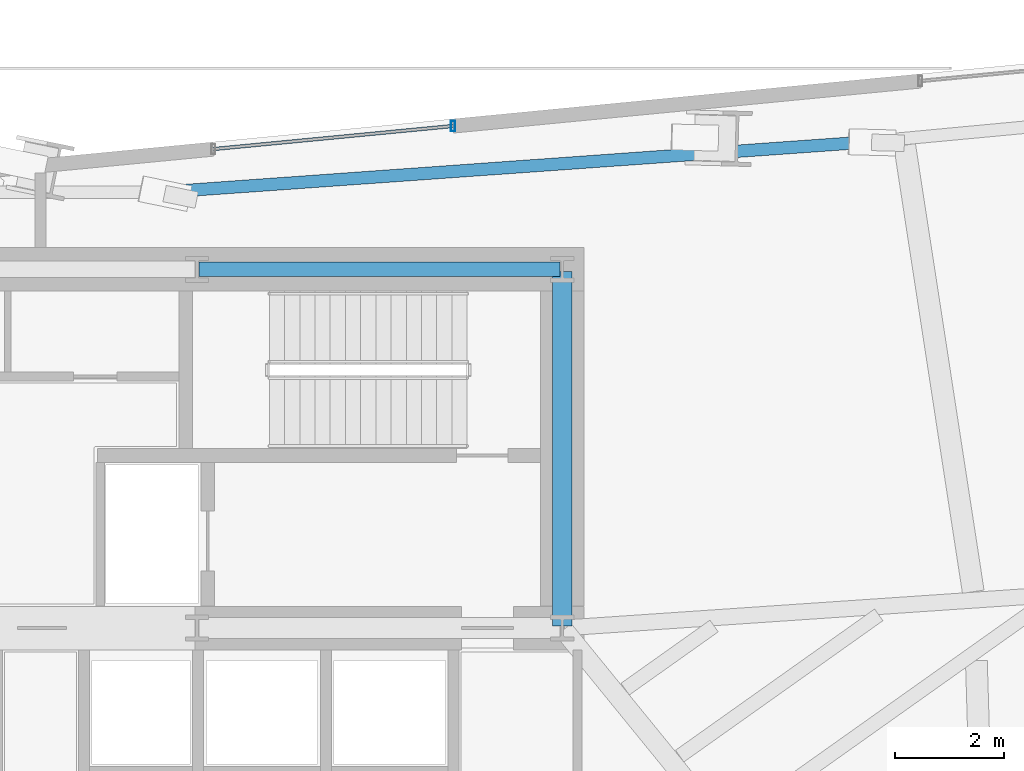
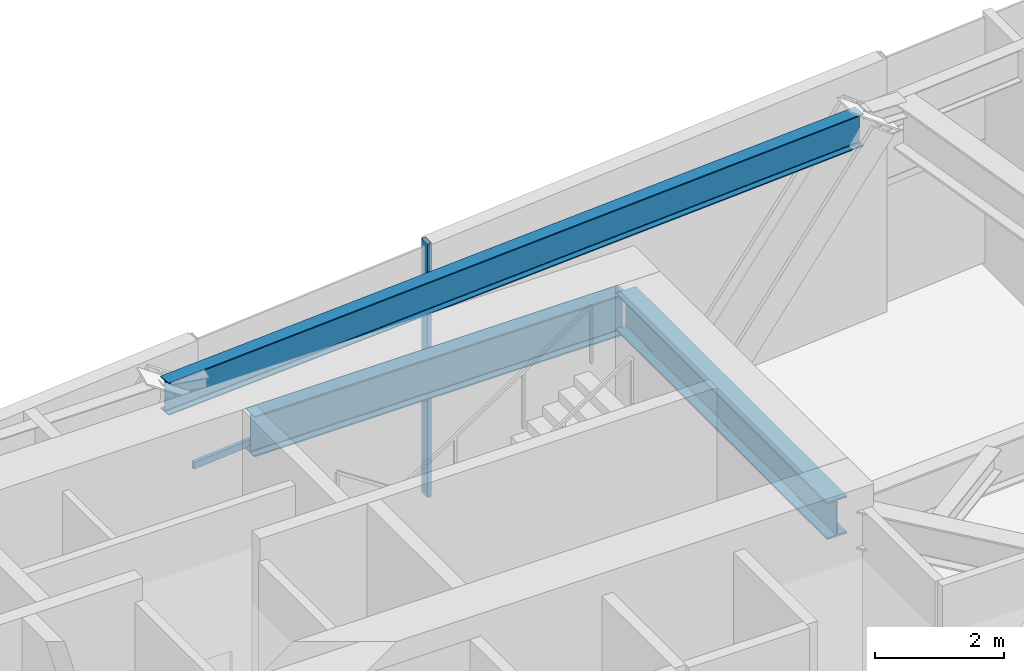
# One storey, part 15 of 28: 3 beams, 2 members, 1 element without a shape of its own.
"""IFC4 building model written with IfcOpenShell, lengths in metres."""

from ifc_helpers import new_model, si_unit, direction, frame, origin, origin_2d, place, context, subcontext, project, spatial, hollow_rectangle, i_section, extrude, source, transform, mapped, material, material_profile, profile_set, type_object, type_shapes, element, aggregate, save


model = new_model("IFC4")

# Units and contexts
model_context = context("Model", 3, precision=1e-05, world=origin(), true_north=direction((0.0, 1.0)))
body_context = subcontext(model_context, "Body", "Model", "MODEL_VIEW")
ifc_project = project(units=[si_unit("LENGTHUNIT", "METRE"), si_unit("AREAUNIT", "SQUARE_METRE"), si_unit("VOLUMEUNIT", "CUBIC_METRE"), si_unit("PLANEANGLEUNIT", "RADIAN"), si_unit("MASSUNIT", "GRAM", prefix="KILO")], contexts=[model_context])

# Site, building, storey
site_placement = place(None, origin())
site = spatial("IfcSite", under=ifc_project, at=site_placement, CompositionType="ELEMENT")
building_placement = place(site_placement, origin())
building = spatial("IfcBuilding", under=site, at=building_placement, Name="Astriad Promenade Condominiums", CompositionType="ELEMENT")
storey_placement = place(building_placement, frame((0.0, 0.0, 72.60009765625)))
storey = spatial("IfcBuildingStorey", under=building, at=storey_placement, Name="L20", CompositionType="ELEMENT", Elevation=72.60009765625)

# Beams
ifc_material_1 = material(Name="Steel ASTM A992 Grade 50", Category="steel")
ifc_material_profile_1 = material_profile(ifc_material_1, i_section(OverallWidth=0.267822265625, OverallDepth=0.76953125, WebThickness=0.015625, FlangeThickness=0.025390625, FilletRadius=0.021484375, at=origin_2d()), Name="W30X132")
ifc_profile_set_1 = profile_set([ifc_material_profile_1], Name="Steel ASTM A992 Grade 50")
beam_type_1 = type_object("IfcBeamType", Name="STEEL FLOOR GIRDER W30X132", PredefinedType="BEAM", material=ifc_profile_set_1)
shared_shape_1 = source(origin(), body_context, "Body", "SweptSolid", [
    extrude(i_section(OverallWidth=0.267822265625, OverallDepth=0.76953125, WebThickness=0.015625, FlangeThickness=0.025390625, FilletRadius=0.021484375, at=origin_2d()), origin(), (0.0, 0.0, 1.0), 6.64013671875),
])
type_shapes(beam_type_1, [shared_shape_1])
beam_1_placement = place(storey_placement, frame((38.919921875, 24.0, 4.39501953125), z_axis=(1.0, 0.0, 0.0), x_axis=(0.0, 1.0, 0.0)))
element("IfcBeam", 1, at=beam_1_placement, inside=storey, type_object=beam_type_1, Name="Core Ring Beam CG-N3-L20", PredefinedType="BEAM", context=body_context, shape_type="MappedRepresentation", body=[
    mapped(shared_shape_1, transform((0.0, 0.0, 0.0), scale=1.0)),
])
ifc_material_profile_2 = material_profile(ifc_material_1, i_section(OverallWidth=0.35791015625, OverallDepth=0.706298828125, WebThickness=0.018310546875, FlangeThickness=0.0302734375, FilletRadius=0.020263671875, at=origin_2d()), Name="W27X178")
ifc_profile_set_2 = profile_set([ifc_material_profile_2], Name="Steel ASTM A992 Grade 50")
beam_type_2 = type_object("IfcBeamType", Name="STEEL FLOOR GIRDER W27X178", PredefinedType="BEAM", material=ifc_profile_set_2)
shared_shape_2 = source(origin(), body_context, "Body", "SweptSolid", [
    extrude(i_section(OverallWidth=0.35791015625, OverallDepth=0.706298828125, WebThickness=0.018310546875, FlangeThickness=0.0302734375, FilletRadius=0.020263671875, at=origin_2d()), origin(), (0.0, 0.0, 1.0), 6.52001953125),
])
type_shapes(beam_type_2, [shared_shape_2])
beam_2_placement = place(storey_placement, frame((45.60009765625, 17.43994140625, 4.4267578125), z_axis=(0.0, 1.0, 0.0), x_axis=(-1.0, 0.0, 0.0)))
element("IfcBeam", 2, at=beam_2_placement, inside=storey, type_object=beam_type_2, Name="Core Ring Beam CG-E1-L20", PredefinedType="BEAM", context=body_context, shape_type="MappedRepresentation", body=[
    mapped(shared_shape_2, transform((0.0, 0.0, 0.0), scale=1.0)),
])
ifc_material_profile_3 = material_profile(ifc_material_1, i_section(OverallWidth=0.22900390625, OverallDepth=0.612060546875, WebThickness=0.011962890625, FlangeThickness=0.01953125, FilletRadius=0.017822265625, at=origin_2d()), Name="W24X84")
ifc_profile_set_3 = profile_set([ifc_material_profile_3], Name="Steel ASTM A992 Grade 50")
beam_type_3 = type_object("IfcBeamType", Name="STEEL SPANDREL BEAM W24X84", PredefinedType="SPANDREL", material=ifc_profile_set_3)
shared_shape_3 = source(origin(), body_context, "Body", "SweptSolid", [
    extrude(i_section(OverallWidth=0.22900390625, OverallDepth=0.612060546875, WebThickness=0.011962890625, FlangeThickness=0.01953125, FilletRadius=0.017822265625, at=origin_2d()), origin(), (0.0, 0.0, 1.0), 12.94970703125),
])
type_shapes(beam_type_3, [shared_shape_3])
beam_3_placement = place(storey_placement, frame((51.1337890625, 26.338134765625, 4.473876953125), z_axis=(-0.997478947986, -0.070963006733, 0.0), x_axis=(0.070963006733, -0.997478947986, 0.0)))
element("IfcBeam", 3, at=beam_3_placement, inside=storey, type_object=beam_type_3, Name="Perimeter Spandrel Beam SP-N3-L20", PredefinedType="SPANDREL", context=body_context, shape_type="MappedRepresentation", body=[
    mapped(shared_shape_3, transform((0.0, 0.0, 0.0), scale=1.0)),
])

# Curtain wall, members
ifc_material_2 = material(Name="Anodised aluminium Black Dark Glass Unitised", Category="aluminium")
curtain_wall_type = type_object("IfcCurtainWallType", Name="CW-B2-DARK", PredefinedType="USERDEFINED", material=ifc_material_2)
curtain_wall_placement = place(storey_placement, origin())
curtain_wall = element("IfcCurtainWall", 4, at=curtain_wall_placement, inside=storey, type_object=curtain_wall_type, Name="CW-L20-N-3", ObjectType="UNITISED_CURTAIN_WALL", PredefinedType="USERDEFINED")
ifc_material_3 = material(Name="Anodised aluminium 6063-T6 Black", Category="aluminium")
ifc_material_profile_4 = material_profile(ifc_material_3, hollow_rectangle(XDim=0.074951171875, YDim=0.18505859375, WallThickness=0.00439453125, at=origin_2d()), Name="ALU-MUL-75X185")
ifc_profile_set_4 = profile_set([ifc_material_profile_4], Name="Anodised aluminium 6063-T6 Black")
member_type_1 = type_object("IfcMemberType", Name="MUL-ALU-MUL-75X185", PredefinedType="MULLION", material=ifc_profile_set_4)
shared_shape_4 = source(origin(), body_context, "Body", "SweptSolid", [
    extrude(hollow_rectangle(XDim=0.074951171875, YDim=0.18505859375, WallThickness=0.00439453125, at=origin_2d()), origin(), (0.0, 0.0, 1.0), 4.77978515625),
])
type_shapes(member_type_1, [shared_shape_4])
member_1_placement = place(storey_placement, frame((43.58935546875, 26.63818359375, 0.0), z_axis=(0.0, 0.0, 1.0), x_axis=(1.0, 0.0, 0.0)))
member_1 = element("IfcMember", 5, at=member_1_placement, type_object=member_type_1, Name="CW-L20-N-3-MUL-01", PredefinedType="MULLION", context=body_context, shape_type="MappedRepresentation", body=[
    mapped(shared_shape_4, transform((0.0, 0.0, 0.0), scale=1.0)),
])
ifc_material_profile_5 = material_profile(ifc_material_3, hollow_rectangle(XDim=0.06494140625, YDim=0.1298828125, WallThickness=0.00390625, at=origin_2d()), Name="ALU-TRN-65X130")
ifc_profile_set_5 = profile_set([ifc_material_profile_5], Name="Anodised aluminium 6063-T6 Black")
member_type_2 = type_object("IfcMemberType", Name="TRN-ALU-TRN-65X130", PredefinedType="USERDEFINED", material=ifc_profile_set_5)
shared_shape_5 = source(origin(), body_context, "Body", "SweptSolid", [
    extrude(hollow_rectangle(XDim=0.06494140625, YDim=0.1298828125, WallThickness=0.00390625, at=origin_2d()), origin(), (0.0, 0.0, 1.0), 4.43017578125),
])
type_shapes(member_type_2, [shared_shape_5])
member_2_placement = place(storey_placement, frame((39.1796875, 26.213623046875, 2.349853515625), z_axis=(0.9953971068, 0.095836317613, 0.0), x_axis=(-0.095836317613, 0.9953971068, 0.0)))
member_2 = element("IfcMember", 6, at=member_2_placement, type_object=member_type_2, Name="CW-L20-N-3-TRN-00-0", ObjectType="TRANSOM", PredefinedType="USERDEFINED", context=body_context, shape_type="MappedRepresentation", body=[
    mapped(shared_shape_5, transform((0.0, 0.0, 0.0), scale=1.0)),
])
aggregate(curtain_wall, [member_1, member_2])

save(model, "model.ifc")
